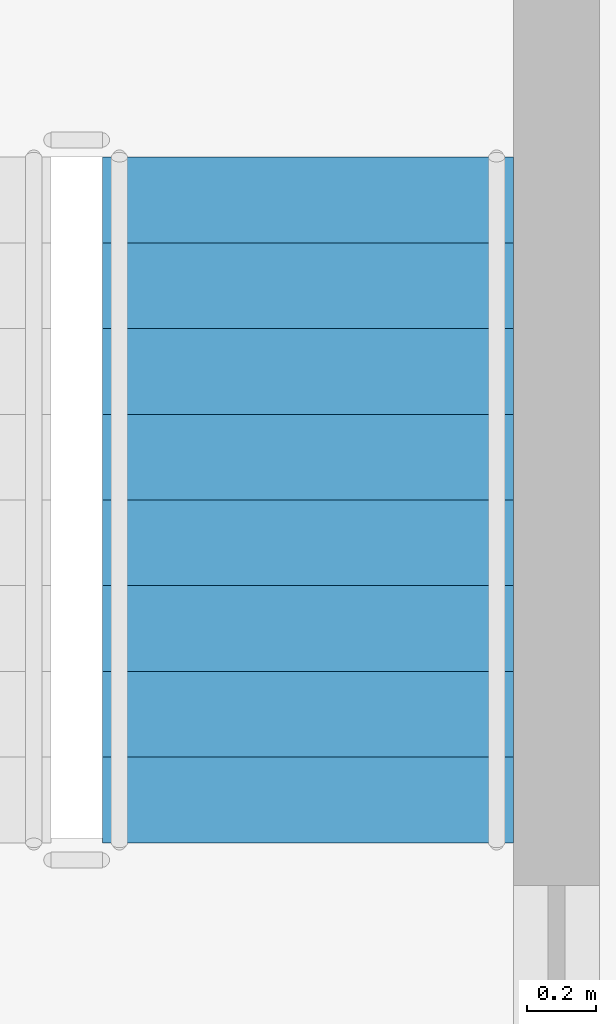
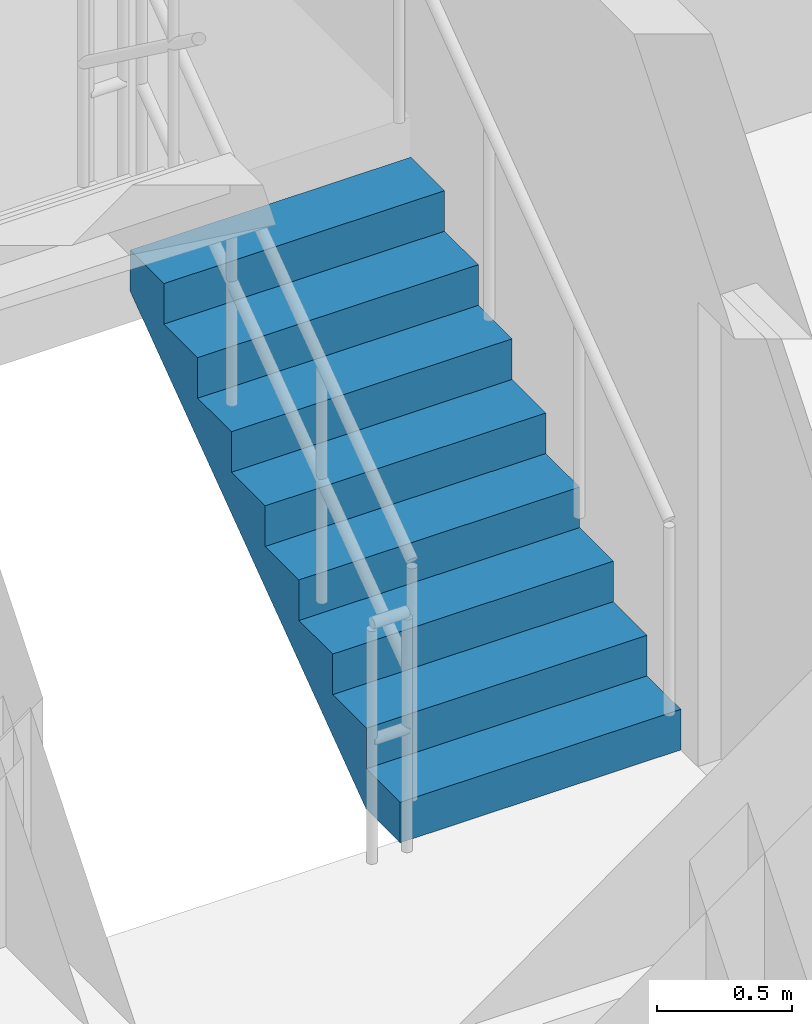
# One storey, part 10 of 16: 1 stair flight, 1 element without a shape of its own.
"""IFC4 building model written with IfcOpenShell, lengths in metres."""

from ifc_helpers import new_model, si_unit, direction, frame, origin, place, context, subcontext, project, spatial, polyline, outline, extrude, material, type_object, element, aggregate, save


model = new_model("IFC4")

# Units and contexts
model_context = context("Model", 3, precision=1e-05, world=origin(), true_north=direction((0.0, 1.0)))
body_context = subcontext(model_context, "Body", "Model", "MODEL_VIEW")
ifc_project = project(units=[si_unit("LENGTHUNIT", "METRE"), si_unit("AREAUNIT", "SQUARE_METRE"), si_unit("VOLUMEUNIT", "CUBIC_METRE"), si_unit("PLANEANGLEUNIT", "RADIAN"), si_unit("MASSUNIT", "GRAM", prefix="KILO")], contexts=[model_context])

# Site, building, storey
site_placement = place(None, origin())
site = spatial("IfcSite", under=ifc_project, at=site_placement, CompositionType="ELEMENT")
building_placement = place(site_placement, origin())
building = spatial("IfcBuilding", under=site, at=building_placement, Name="Nakaniwa Court", CompositionType="ELEMENT")
storey_placement = place(building_placement, frame((0.0, 0.0, 199.800048828125)))
storey = spatial("IfcBuildingStorey", under=building, at=storey_placement, Name="L52", CompositionType="ELEMENT", Elevation=199.800048828125)

# Stair, stair flight
ifc_material = material(Name="Concrete C80/100", Category="concrete")
stair_type = type_object("IfcStairType", Name="Dog leg stair 1200 wide 18 risers", PredefinedType="HALF_TURN_STAIR", material=ifc_material)
stair_placement = place(storey_placement, origin())
stair = element("IfcStair", 1, at=stair_placement, inside=storey, type_object=stair_type, Name="L52 Stair ST2", PredefinedType="HALF_TURN_STAIR")
stair_flight_type = type_object("IfcStairFlightType", Name="Stair flight 1200 wide 9 risers", PredefinedType="STRAIGHT", material=ifc_material)
stair_flight_placement = place(storey_placement, frame((82.675048828125, 98.175048828125, 0.0), z_axis=(0.0, 0.0, 1.0), x_axis=(0.0, 1.0, 0.0)))
stair_flight = element("IfcStairFlight", 2, at=stair_flight_placement, type_object=stair_flight_type, Name="ST2 flight 1", NumberOfRisers=9, NumberOfTreads=8, PredefinedType="STRAIGHT", RiserHeight=0.183333333, TreadLength=0.25, context=body_context, shape_type="SweptSolid", body=[
    extrude(outline(polyline([(0.0, 0.0), (0.0, 0.026123046875), (0.0, 0.052490234375), (0.0, 0.07861328125), (0.0, 0.104736328125), (0.0, 0.130859375), (0.0, 0.1572265625), (0.0, 0.183349609375), (0.25, 0.183349609375), (0.25, 0.36669921875), (0.5, 0.36669921875), (0.5, 0.550048828125), (0.75, 0.550048828125), (0.75, 0.7333984375), (1.0, 0.7333984375), (1.0, 0.916748046875), (1.25, 0.916748046875), (1.25, 1.10009765625), (1.5, 1.10009765625), (1.5, 1.283447265625), (1.75, 1.283447265625), (1.75, 1.466552734375), (2.0, 1.466552734375), (2.0, 1.64990234375), (2.0, 1.59716796875), (2.0, 1.54443359375), (2.0, 1.49169921875), (2.0, 1.43896484375), (2.0, 1.38623046875), (2.0, 1.33349609375), (2.0, 1.28076171875), (0.25341796875, 0.0), (0.0, 0.0)])), frame((0.0, 0.60009765625, 0.0), z_axis=(0.0, -1.0, 0.0), x_axis=(1.0, 0.0, 0.0)), (0.0, 0.0, 1.0), 1.199951171875),
])
aggregate(stair, [stair_flight])

save(model, "model.ifc")
